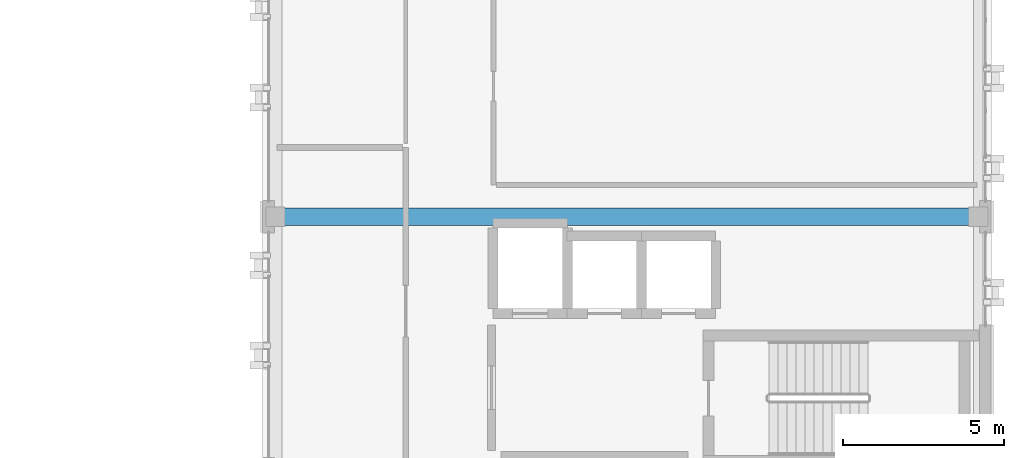
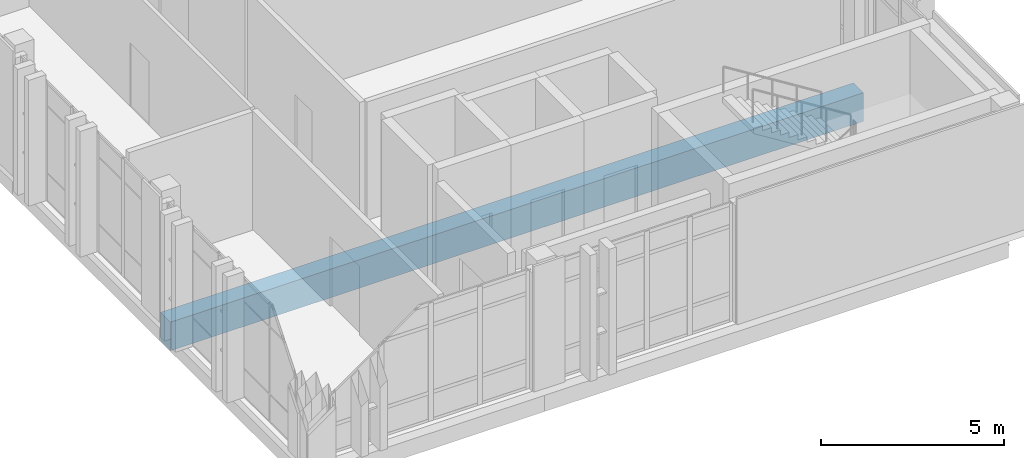
# One storey, part 30 of 77: 1 beam.
"""IFC4 building model written with IfcOpenShell, lengths in metres."""

import ifcopenshell
import ifcopenshell.guid

model = None  # the IFC model being written
_history = None  # IfcOwnerHistory: only IFC2X3 demands one
_inside = {}  # id of a spatial element -> (the spatial element, [elements in it])
_under = {}  # id of a project, library or spatial element -> (it, [spatial elements below it])
_declared = {}  # id of a project -> (the project, [libraries it declares])
_typed = {}  # id of a type object -> (the type object, [elements of that type])
_made_of = {}  # id of a material, layer set ... -> (it, [elements and type objects made of it])


def new_model(schema):
    """Start an empty IFC model of exactly this schema.

    Asked for "IFC4X3", IfcOpenShell would pick the latest addendum, in which some entities
    have other attributes; the version numbers below select the first issue.
    IFC2X3 requires an IfcOwnerHistory on every rooted entity: one is made here for all.
    """
    global model, _history
    if schema == "IFC4X3":
        model = ifcopenshell.file(schema_version=(4, 3, 0, 0))
    else:
        model = ifcopenshell.file(schema=schema)
    _inside.clear()
    _under.clear()
    _declared.clear()
    _typed.clear()
    _made_of.clear()
    _history = None
    if model.schema == "IFC2X3":
        org = make("IfcOrganization", Name="unknown")
        user = make(
            "IfcPersonAndOrganization",
            ThePerson=make("IfcPerson", FamilyName="unknown"),
            TheOrganization=org,
        )
        app = make(
            "IfcApplication",
            ApplicationDeveloper=org,
            Version="unknown",
            ApplicationFullName="unknown",
            ApplicationIdentifier="unknown",
        )
        _history = make(
            "IfcOwnerHistory",
            OwningUser=user,
            OwningApplication=app,
            ChangeAction="ADDED",
            CreationDate=0,
        )
    return model


def make(cls, **values):
    """One entity of the class cls with the attributes given. An attribute that is None is left unset."""
    return model.create_entity(
        cls, **{name: value for name, value in values.items() if value is not None}
    )


def rooted(cls, **values):
    """An entity with a GlobalId (a new one), such as an element, a storey or a relation."""
    return make(cls, GlobalId=ifcopenshell.guid.new(), OwnerHistory=_history, **values)


def si_unit(unit_type, name, prefix=None):
    """IfcSIUnit, for example si_unit("LENGTHUNIT", "METRE", prefix="MILLI")."""
    return make("IfcSIUnit", UnitType=unit_type, Prefix=prefix, Name=name)


def assignment(units):
    """IfcUnitAssignment: the units of a project."""
    return None if units is None else make("IfcUnitAssignment", Units=units)


def point(xyz):
    """IfcCartesianPoint."""
    return None if xyz is None else make("IfcCartesianPoint", Coordinates=xyz)


def direction(xyz):
    """IfcDirection."""
    return None if xyz is None else make("IfcDirection", DirectionRatios=xyz)


def frame(location, z_axis=None, x_axis=None):
    """IfcAxis2Placement3D, a coordinate frame: its origin and axes. An axis left out is left unset."""
    return make(
        "IfcAxis2Placement3D",
        Location=point(location),
        Axis=direction(z_axis),
        RefDirection=direction(x_axis),
    )


def frame_2d(location, x_axis=None):
    """IfcAxis2Placement2D, a coordinate frame in the plane: its origin and x axis."""
    return make(
        "IfcAxis2Placement2D", Location=point(location), RefDirection=direction(x_axis)
    )


def origin():
    """The frame at (0, 0, 0) with its axes left unset."""
    return frame((0.0, 0.0, 0.0))


def origin_2d():
    """The frame at (0, 0) in the plane with its x axis left unset."""
    return frame_2d((0.0, 0.0))


def place(relative_to, where):
    """IfcLocalPlacement: puts the frame where relative to a parent placement (None: the world)."""
    return make(
        "IfcLocalPlacement", PlacementRelTo=relative_to, RelativePlacement=where
    )


def context(
    kind, dimensions, precision=None, world=None, true_north=None, identifier=None
):
    """IfcGeometricRepresentationContext, for example the 3D "Model" context."""
    return make(
        "IfcGeometricRepresentationContext",
        ContextIdentifier=identifier,
        ContextType=kind,
        CoordinateSpaceDimension=dimensions,
        Precision=precision,
        WorldCoordinateSystem=world,
        TrueNorth=true_north,
    )


def subcontext(parent, identifier, kind, view, scale=None):
    """IfcGeometricRepresentationSubContext, for example "Body" below "Model"."""
    return make(
        "IfcGeometricRepresentationSubContext",
        ContextIdentifier=identifier,
        ContextType=kind,
        ParentContext=parent,
        TargetScale=scale,
        TargetView=view,
    )


def project(units=None, contexts=None):
    """IfcProject with its units and contexts."""
    return rooted(
        "IfcProject",
        Name="project",
        RepresentationContexts=contexts,
        UnitsInContext=assignment(units),
    )


def spatial(cls, under=None, at=None, **own):
    """A site, building, storey or space (cls), placed at a placement, below another one or the project."""
    s = rooted(cls, ObjectPlacement=at, **own)
    if under is not None:
        _under.setdefault(under.id(), (under, []))[1].append(s)
    return s


def profile(cls, at=None, kind="AREA", **sizes):
    """A parametric profile (cls). Its sizes go by their IFC names, for example OverallWidth=200.0."""
    return make(cls, ProfileType=kind, Position=at, **sizes)


def rectangle(**sizes):
    """IfcRectangleProfileDef."""
    return profile("IfcRectangleProfileDef", **sizes)


def extrude(swept, where, along, depth):
    """IfcExtrudedAreaSolid: the profile swept, set in the frame where, extruded along a direction by depth."""
    return make(
        "IfcExtrudedAreaSolid",
        SweptArea=swept,
        Position=where,
        ExtrudedDirection=direction(along),
        Depth=depth,
    )


def shape(context_of_items, identifier, shape_type, items):
    """IfcShapeRepresentation: the items that make up one representation, for example the "Body"."""
    return make(
        "IfcShapeRepresentation",
        ContextOfItems=context_of_items,
        RepresentationIdentifier=identifier,
        RepresentationType=shape_type,
        Items=items,
    )


def material(Name=None, Category=None):
    """IfcMaterial."""
    return make("IfcMaterial", Name=Name, Category=Category)


def material_profile(
    of_material, cross_section, Name=None, Category=None, Priority=None
):
    """IfcMaterialProfile: a cross section and its material."""
    return make(
        "IfcMaterialProfile",
        Name=Name,
        Material=of_material,
        Profile=cross_section,
        Priority=Priority,
        Category=Category,
    )


def profile_set(profiles, Name=None, composite=None):
    """IfcMaterialProfileSet."""
    return make(
        "IfcMaterialProfileSet",
        Name=Name,
        MaterialProfiles=profiles,
        CompositeProfile=composite,
    )


def made_of(thing, what):
    """Note that an element or type object is made of a material, layer set ...; save() writes the relation."""
    if what is not None:
        _made_of.setdefault(what.id(), (what, []))[1].append(thing)
    return thing


def type_object(cls, material=None, **own):
    """A type object (cls), such as IfcWallType, which elements share."""
    return made_of(rooted(cls, **own), material)


def element(
    cls,
    number,
    at=None,
    inside=None,
    cuts=None,
    type_object=None,
    material=None,
    context=None,
    identifier="Body",
    shape_type=None,
    held_by="IfcProductDefinitionShape",
    body=None,
    shapes=None,
    **own,
):
    """One element of the class cls, such as IfcWall. Its Tag is "e" and its number.

    at: its placement. inside: the storey or other place that contains it. cuts: it is an
    opening in that element (IfcRelVoidsElement). A single representation is given by context,
    identifier, shape_type and body (its items); several are given by shapes. held_by: the class
    of the entity that holds the representations. save() writes the other relations.
    """
    e = rooted(cls, Tag="e%d" % number, ObjectPlacement=at, **own)
    if body is not None:
        shapes = [shape(context, identifier, shape_type, body)]
    if shapes is not None:
        e.Representation = make(held_by, Representations=shapes)
    if inside is not None:
        _inside.setdefault(inside.id(), (inside, []))[1].append(e)
    if cuts is not None:
        rooted(
            "IfcRelVoidsElement", RelatingBuildingElement=cuts, RelatedOpeningElement=e
        )
    if type_object is not None:
        _typed.setdefault(type_object.id(), (type_object, []))[1].append(e)
    return made_of(e, material)


def aggregate(whole, parts):
    """IfcRelAggregates: a whole, such as a stair, and the parts it consists of."""
    return rooted("IfcRelAggregates", RelatingObject=whole, RelatedObjects=parts)


def save(model, path):
    """Write the relations noted so far, then the file.

    IfcRelAggregates (storeys below a building ...), IfcRelContainedInSpatialStructure (elements
    in a storey), IfcRelDefinesByType, IfcRelAssociatesMaterial and IfcRelDeclares: one each for
    every whole, place, type object, material and project.
    """
    for whole, parts in _under.values():
        aggregate(whole, parts)
    for where, things in _inside.values():
        rooted(
            "IfcRelContainedInSpatialStructure",
            RelatedElements=things,
            RelatingStructure=where,
        )
    for kind, things in _typed.values():
        rooted("IfcRelDefinesByType", RelatedObjects=things, RelatingType=kind)
    for what, things in _made_of.values():
        rooted("IfcRelAssociatesMaterial", RelatedObjects=things, RelatingMaterial=what)
    for by, libraries in _declared.values():
        rooted("IfcRelDeclares", RelatingContext=by, RelatedDefinitions=libraries)
    model.write(path)


model = new_model("IFC4")

# Units and contexts
model_context = context("Model", 3, precision=1e-05, world=origin(), true_north=direction((0.0, 1.0)))
body_context = subcontext(model_context, "Body", "Model", "MODEL_VIEW")
ifc_project = project(units=[si_unit("LENGTHUNIT", "METRE"), si_unit("AREAUNIT", "SQUARE_METRE"), si_unit("VOLUMEUNIT", "CUBIC_METRE"), si_unit("PLANEANGLEUNIT", "RADIAN"), si_unit("MASSUNIT", "GRAM", prefix="KILO")], contexts=[model_context])

# Site, building, storey
site_placement = place(None, origin())
site = spatial("IfcSite", under=ifc_project, at=site_placement, CompositionType="ELEMENT")
building_placement = place(site_placement, origin())
building = spatial("IfcBuilding", under=site, at=building_placement, Name="Qalavern Law Courts", CompositionType="ELEMENT")
storey_placement = place(building_placement, frame((0.0, 0.0, 27.0)))
storey = spatial("IfcBuildingStorey", under=building, at=storey_placement, Name="L06", CompositionType="ELEMENT", Elevation=27.0)

# Beam
ifc_material = material(Name="Concrete C40/50", Category="concrete")
ifc_material_profile = material_profile(ifc_material, rectangle(XDim=0.550048828125, YDim=0.949951171875, at=origin_2d()), Name="RC 550x950")
ifc_profile_set = profile_set([ifc_material_profile], Name="Concrete C40/50")
beam_type = type_object("IfcBeamType", Name="STR-BM-RC550x950", PredefinedType="BEAM", material=ifc_profile_set)
beam_placement = place(storey_placement, frame((84.60009765625, 49.39990234375, -0.7451171875), z_axis=(1.0, 0.0, 0.0), x_axis=(0.0, 1.0, 0.0)))
element("IfcBeam", 1, at=beam_placement, inside=storey, type_object=beam_type, Name="V4 X-beam 2-1 L06", PredefinedType="BEAM", context=body_context, shape_type="SweptSolid", body=[
    extrude(rectangle(XDim=0.550048828125, YDim=0.949951171875, at=origin_2d()), origin(), (0.0, 0.0, 1.0), 21.7998046875),
])

save(model, "model.ifc")
